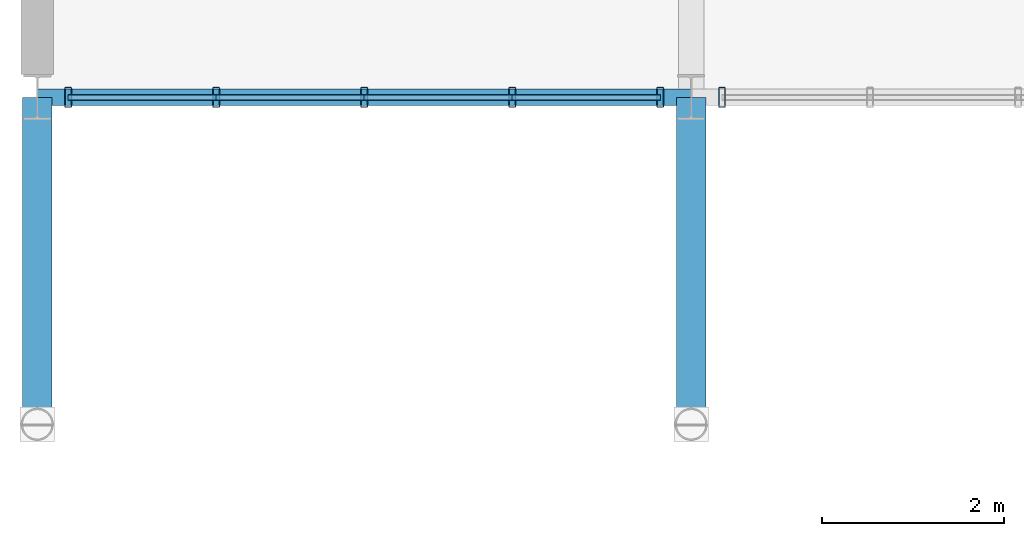
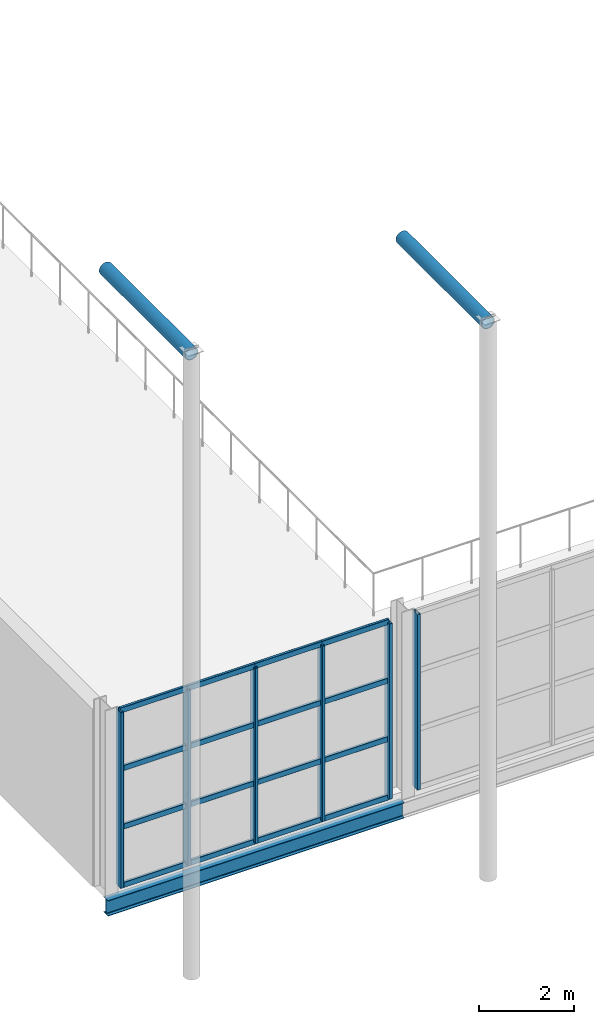
# One storey, part 18 of 143: 22 members, 3 beams, 2 elements without a shape of their own.
"""IFC4 building model written with IfcOpenShell, lengths in metres."""

import ifcopenshell
import ifcopenshell.guid

model = None  # the IFC model being written
_history = None  # IfcOwnerHistory: only IFC2X3 demands one
_inside = {}  # id of a spatial element -> (the spatial element, [elements in it])
_under = {}  # id of a project, library or spatial element -> (it, [spatial elements below it])
_declared = {}  # id of a project -> (the project, [libraries it declares])
_typed = {}  # id of a type object -> (the type object, [elements of that type])
_made_of = {}  # id of a material, layer set ... -> (it, [elements and type objects made of it])


def new_model(schema):
    """Start an empty IFC model of exactly this schema.

    Asked for "IFC4X3", IfcOpenShell would pick the latest addendum, in which some entities
    have other attributes; the version numbers below select the first issue.
    IFC2X3 requires an IfcOwnerHistory on every rooted entity: one is made here for all.
    """
    global model, _history
    if schema == "IFC4X3":
        model = ifcopenshell.file(schema_version=(4, 3, 0, 0))
    else:
        model = ifcopenshell.file(schema=schema)
    _inside.clear()
    _under.clear()
    _declared.clear()
    _typed.clear()
    _made_of.clear()
    _history = None
    if model.schema == "IFC2X3":
        org = make("IfcOrganization", Name="unknown")
        user = make(
            "IfcPersonAndOrganization",
            ThePerson=make("IfcPerson", FamilyName="unknown"),
            TheOrganization=org,
        )
        app = make(
            "IfcApplication",
            ApplicationDeveloper=org,
            Version="unknown",
            ApplicationFullName="unknown",
            ApplicationIdentifier="unknown",
        )
        _history = make(
            "IfcOwnerHistory",
            OwningUser=user,
            OwningApplication=app,
            ChangeAction="ADDED",
            CreationDate=0,
        )
    return model


def make(cls, **values):
    """One entity of the class cls with the attributes given. An attribute that is None is left unset."""
    return model.create_entity(
        cls, **{name: value for name, value in values.items() if value is not None}
    )


def rooted(cls, **values):
    """An entity with a GlobalId (a new one), such as an element, a storey or a relation."""
    return make(cls, GlobalId=ifcopenshell.guid.new(), OwnerHistory=_history, **values)


def si_unit(unit_type, name, prefix=None):
    """IfcSIUnit, for example si_unit("LENGTHUNIT", "METRE", prefix="MILLI")."""
    return make("IfcSIUnit", UnitType=unit_type, Prefix=prefix, Name=name)


def derived_unit(unit_type, elements):
    """IfcDerivedUnit: a product of units, each with its exponent."""
    return make(
        "IfcDerivedUnit",
        Elements=[
            make("IfcDerivedUnitElement", Unit=unit, Exponent=power)
            for unit, power in elements
        ],
        UnitType=unit_type,
    )


def assignment(units):
    """IfcUnitAssignment: the units of a project."""
    return None if units is None else make("IfcUnitAssignment", Units=units)


def point(xyz):
    """IfcCartesianPoint."""
    return None if xyz is None else make("IfcCartesianPoint", Coordinates=xyz)


def direction(xyz):
    """IfcDirection."""
    return None if xyz is None else make("IfcDirection", DirectionRatios=xyz)


def frame(location, z_axis=None, x_axis=None):
    """IfcAxis2Placement3D, a coordinate frame: its origin and axes. An axis left out is left unset."""
    return make(
        "IfcAxis2Placement3D",
        Location=point(location),
        Axis=direction(z_axis),
        RefDirection=direction(x_axis),
    )


def frame_2d(location, x_axis=None):
    """IfcAxis2Placement2D, a coordinate frame in the plane: its origin and x axis."""
    return make(
        "IfcAxis2Placement2D", Location=point(location), RefDirection=direction(x_axis)
    )


def origin():
    """The frame at (0, 0, 0) with its axes left unset."""
    return frame((0.0, 0.0, 0.0))


def origin_2d():
    """The frame at (0, 0) in the plane with its x axis left unset."""
    return frame_2d((0.0, 0.0))


def place(relative_to, where):
    """IfcLocalPlacement: puts the frame where relative to a parent placement (None: the world)."""
    return make(
        "IfcLocalPlacement", PlacementRelTo=relative_to, RelativePlacement=where
    )


def context(
    kind, dimensions, precision=None, world=None, true_north=None, identifier=None
):
    """IfcGeometricRepresentationContext, for example the 3D "Model" context."""
    return make(
        "IfcGeometricRepresentationContext",
        ContextIdentifier=identifier,
        ContextType=kind,
        CoordinateSpaceDimension=dimensions,
        Precision=precision,
        WorldCoordinateSystem=world,
        TrueNorth=true_north,
    )


def subcontext(parent, identifier, kind, view, scale=None):
    """IfcGeometricRepresentationSubContext, for example "Body" below "Model"."""
    return make(
        "IfcGeometricRepresentationSubContext",
        ContextIdentifier=identifier,
        ContextType=kind,
        ParentContext=parent,
        TargetScale=scale,
        TargetView=view,
    )


def project(units=None, contexts=None):
    """IfcProject with its units and contexts."""
    return rooted(
        "IfcProject",
        Name="project",
        RepresentationContexts=contexts,
        UnitsInContext=assignment(units),
    )


def spatial(cls, under=None, at=None, **own):
    """A site, building, storey or space (cls), placed at a placement, below another one or the project."""
    s = rooted(cls, ObjectPlacement=at, **own)
    if under is not None:
        _under.setdefault(under.id(), (under, []))[1].append(s)
    return s


def profile(cls, at=None, kind="AREA", **sizes):
    """A parametric profile (cls). Its sizes go by their IFC names, for example OverallWidth=200.0."""
    return make(cls, ProfileType=kind, Position=at, **sizes)


def hollow_rectangle(**sizes):
    """IfcRectangleHollowProfileDef."""
    return profile("IfcRectangleHollowProfileDef", **sizes)


def hollow_circle(**sizes):
    """IfcCircleHollowProfileDef."""
    return profile("IfcCircleHollowProfileDef", **sizes)


def i_section(**sizes):
    """IfcIShapeProfileDef."""
    return profile("IfcIShapeProfileDef", **sizes)


def extrude(swept, where, along, depth):
    """IfcExtrudedAreaSolid: the profile swept, set in the frame where, extruded along a direction by depth."""
    return make(
        "IfcExtrudedAreaSolid",
        SweptArea=swept,
        Position=where,
        ExtrudedDirection=direction(along),
        Depth=depth,
    )


def shape(context_of_items, identifier, shape_type, items):
    """IfcShapeRepresentation: the items that make up one representation, for example the "Body"."""
    return make(
        "IfcShapeRepresentation",
        ContextOfItems=context_of_items,
        RepresentationIdentifier=identifier,
        RepresentationType=shape_type,
        Items=items,
    )


def material(Name=None, Category=None):
    """IfcMaterial."""
    return make("IfcMaterial", Name=Name, Category=Category)


def material_profile(
    of_material, cross_section, Name=None, Category=None, Priority=None
):
    """IfcMaterialProfile: a cross section and its material."""
    return make(
        "IfcMaterialProfile",
        Name=Name,
        Material=of_material,
        Profile=cross_section,
        Priority=Priority,
        Category=Category,
    )


def profile_set(profiles, Name=None, composite=None):
    """IfcMaterialProfileSet."""
    return make(
        "IfcMaterialProfileSet",
        Name=Name,
        MaterialProfiles=profiles,
        CompositeProfile=composite,
    )


def made_of(thing, what):
    """Note that an element or type object is made of a material, layer set ...; save() writes the relation."""
    if what is not None:
        _made_of.setdefault(what.id(), (what, []))[1].append(thing)
    return thing


def type_object(cls, material=None, **own):
    """A type object (cls), such as IfcWallType, which elements share."""
    return made_of(rooted(cls, **own), material)


def element(
    cls,
    number,
    at=None,
    inside=None,
    cuts=None,
    type_object=None,
    material=None,
    context=None,
    identifier="Body",
    shape_type=None,
    held_by="IfcProductDefinitionShape",
    body=None,
    shapes=None,
    **own,
):
    """One element of the class cls, such as IfcWall. Its Tag is "e" and its number.

    at: its placement. inside: the storey or other place that contains it. cuts: it is an
    opening in that element (IfcRelVoidsElement). A single representation is given by context,
    identifier, shape_type and body (its items); several are given by shapes. held_by: the class
    of the entity that holds the representations. save() writes the other relations.
    """
    e = rooted(cls, Tag="e%d" % number, ObjectPlacement=at, **own)
    if body is not None:
        shapes = [shape(context, identifier, shape_type, body)]
    if shapes is not None:
        e.Representation = make(held_by, Representations=shapes)
    if inside is not None:
        _inside.setdefault(inside.id(), (inside, []))[1].append(e)
    if cuts is not None:
        rooted(
            "IfcRelVoidsElement", RelatingBuildingElement=cuts, RelatedOpeningElement=e
        )
    if type_object is not None:
        _typed.setdefault(type_object.id(), (type_object, []))[1].append(e)
    return made_of(e, material)


def aggregate(whole, parts):
    """IfcRelAggregates: a whole, such as a stair, and the parts it consists of."""
    return rooted("IfcRelAggregates", RelatingObject=whole, RelatedObjects=parts)


def save(model, path):
    """Write the relations noted so far, then the file.

    IfcRelAggregates (storeys below a building ...), IfcRelContainedInSpatialStructure (elements
    in a storey), IfcRelDefinesByType, IfcRelAssociatesMaterial and IfcRelDeclares: one each for
    every whole, place, type object, material and project.
    """
    for whole, parts in _under.values():
        aggregate(whole, parts)
    for where, things in _inside.values():
        rooted(
            "IfcRelContainedInSpatialStructure",
            RelatedElements=things,
            RelatingStructure=where,
        )
    for kind, things in _typed.values():
        rooted("IfcRelDefinesByType", RelatedObjects=things, RelatingType=kind)
    for what, things in _made_of.values():
        rooted("IfcRelAssociatesMaterial", RelatedObjects=things, RelatingMaterial=what)
    for by, libraries in _declared.values():
        rooted("IfcRelDeclares", RelatingContext=by, RelatedDefinitions=libraries)
    model.write(path)


model = new_model("IFC4")

# Units and contexts
model_context = context("Model", 3, precision=1e-05, world=origin(), true_north=direction((0.0, 1.0)))
body_context = subcontext(model_context, "Body", "Model", "MODEL_VIEW")
ifc_project = project(units=[si_unit("LENGTHUNIT", "METRE"), si_unit("AREAUNIT", "SQUARE_METRE"), si_unit("VOLUMEUNIT", "CUBIC_METRE"), si_unit("PLANEANGLEUNIT", "RADIAN"), si_unit("MASSUNIT", "GRAM", prefix="KILO"), derived_unit("THERMALTRANSMITTANCEUNIT", [(si_unit("POWERUNIT", "WATT"), 1), (si_unit("LENGTHUNIT", "METRE"), -2), (si_unit("THERMODYNAMICTEMPERATUREUNIT", "KELVIN"), -1)])], contexts=[model_context])

# Site, building, storey
site_placement = place(None, origin())
site = spatial("IfcSite", under=ifc_project, at=site_placement, CompositionType="ELEMENT")
building_placement = place(site_placement, origin())
building = spatial("IfcBuilding", under=site, at=building_placement, Name="Keldorne Ridge Multi-Sports Centre", CompositionType="ELEMENT")
storey_placement = place(building_placement, frame((0.0, 0.0, 4.800048828125)))
storey = spatial("IfcBuildingStorey", under=building, at=storey_placement, Name="L01", CompositionType="ELEMENT", Elevation=4.800048828125)

# Beams
ifc_material_1 = material(Name="Steel S355", Category="steel")
ifc_material_profile_1 = material_profile(ifc_material_1, i_section(OverallWidth=0.179931640625, OverallDepth=0.39990234375, WebThickness=0.008544921875, FlangeThickness=0.013427734375, FilletRadius=0.02099609375, at=origin_2d()), Name="IPE 400")
ifc_profile_set_1 = profile_set([ifc_material_profile_1], Name="Steel S355")
beam_type_1 = type_object("IfcBeamType", Name="BM-B-04", PredefinedType="BEAM", material=ifc_profile_set_1)
beam_placement = place(storey_placement, frame((6.0, 9.60009765625, -0.420166015625), z_axis=(1.0, 0.0, 0.0), x_axis=(0.0, 1.0, 0.0)))
element("IfcBeam", 1, at=beam_placement, inside=storey, type_object=beam_type_1, Name="L01 mezzanine south beam 1", PredefinedType="BEAM", context=body_context, shape_type="SweptSolid", body=[
    extrude(i_section(OverallWidth=0.179931640625, OverallDepth=0.39990234375, WebThickness=0.008544921875, FlangeThickness=0.013427734375, FilletRadius=0.02099609375, at=origin_2d()), origin(), (0.0, 0.0, 1.0), 7.199951171875),
])
ifc_material_profile_2 = material_profile(ifc_material_1, hollow_circle(Radius=0.161865234375, WallThickness=0.01611328125, at=origin_2d()), Name="CHS 323.9x16")
ifc_profile_set_2 = profile_set([ifc_material_profile_2], Name="Steel S355")
beam_type_2 = type_object("IfcBeamType", Name="BM-B-19", PredefinedType="BEAM", material=ifc_profile_set_2)
for number, where, z_axis, x_axis, name in (
    (2, (6.0, 9.60009765625, 15.949951171875), (0.0, -1.0, 0.0), (1.0, 0.0, 0.0), "Colonnade eave rafter 01"),
    (3, (13.199951171875, 9.60009765625, 14.22998046875), (0.0, -1.0, 0.0), (1.0, 0.0, 0.0), "Colonnade eave rafter 02"),
):
    element("IfcBeam", number, at=place(storey_placement, frame(where, z_axis=z_axis, x_axis=x_axis)), inside=storey, type_object=beam_type_2, Name=name, PredefinedType="BEAM", context=body_context, shape_type="SweptSolid", body=[
        extrude(hollow_circle(Radius=0.161865234375, WallThickness=0.01611328125, at=origin_2d()), origin(), (0.0, 0.0, 1.0), 3.60009765625),
    ])

# Curtain wall, members
ifc_material_2 = material(Name="Anodized aluminium", Category="aluminium")
curtain_wall_type_1 = type_object("IfcCurtainWallType", Name="CW-CW-01", PredefinedType="NOTDEFINED", material=ifc_material_2)
curtain_wall_1_placement = place(storey_placement, origin())
curtain_wall_1 = element("IfcCurtainWall", 4, at=curtain_wall_1_placement, inside=storey, type_object=curtain_wall_type_1, Name="Main Hall south mezzanine curtain wall 001", PredefinedType="NOTDEFINED")
ifc_material_profile_3 = material_profile(ifc_material_2, hollow_rectangle(XDim=0.074951171875, YDim=0.219970703125, WallThickness=0.0048828125, InnerFilletRadius=0.0048828125, OuterFilletRadius=0.010009765625, at=origin_2d()), Name="ALU MULLION 220x75x5")
ifc_profile_set_3 = profile_set([ifc_material_profile_3], Name="Anodized aluminium")
member_type_1 = type_object("IfcMemberType", Name="MEM-ML-02", PredefinedType="MULLION", material=ifc_profile_set_3)
member_1_placement = place(storey_placement, frame((6.340087890625, 9.60009765625, 0.0), z_axis=(0.0, 0.0, 1.0), x_axis=(1.0, 0.0, 0.0)))
member_1 = element("IfcMember", 5, at=member_1_placement, type_object=member_type_1, Name="CW-001 vertical mullion 1", PredefinedType="MULLION", context=body_context, shape_type="SweptSolid", body=[
    extrude(hollow_rectangle(XDim=0.074951171875, YDim=0.219970703125, WallThickness=0.0048828125, InnerFilletRadius=0.0048828125, OuterFilletRadius=0.010009765625, at=origin_2d()), origin(), (0.0, 0.0, 1.0), 4.5),
])
member_2_placement = place(storey_placement, frame((7.969970703125, 9.60009765625, 0.0), z_axis=(0.0, 0.0, 1.0), x_axis=(1.0, 0.0, 0.0)))
member_2 = element("IfcMember", 6, at=member_2_placement, type_object=member_type_1, Name="CW-001 vertical mullion 2", PredefinedType="MULLION", context=body_context, shape_type="SweptSolid", body=[
    extrude(hollow_rectangle(XDim=0.074951171875, YDim=0.219970703125, WallThickness=0.0048828125, InnerFilletRadius=0.0048828125, OuterFilletRadius=0.010009765625, at=origin_2d()), origin(), (0.0, 0.0, 1.0), 4.5),
])
member_3_placement = place(storey_placement, frame((9.60009765625, 9.60009765625, 0.0), z_axis=(0.0, 0.0, 1.0), x_axis=(1.0, 0.0, 0.0)))
member_3 = element("IfcMember", 7, at=member_3_placement, type_object=member_type_1, Name="CW-001 vertical mullion 3", PredefinedType="MULLION", context=body_context, shape_type="SweptSolid", body=[
    extrude(hollow_rectangle(XDim=0.074951171875, YDim=0.219970703125, WallThickness=0.0048828125, InnerFilletRadius=0.0048828125, OuterFilletRadius=0.010009765625, at=origin_2d()), origin(), (0.0, 0.0, 1.0), 4.5),
])
member_4_placement = place(storey_placement, frame((11.22998046875, 9.60009765625, 0.0), z_axis=(0.0, 0.0, 1.0), x_axis=(1.0, 0.0, 0.0)))
member_4 = element("IfcMember", 8, at=member_4_placement, type_object=member_type_1, Name="CW-001 vertical mullion 4", PredefinedType="MULLION", context=body_context, shape_type="SweptSolid", body=[
    extrude(hollow_rectangle(XDim=0.074951171875, YDim=0.219970703125, WallThickness=0.0048828125, InnerFilletRadius=0.0048828125, OuterFilletRadius=0.010009765625, at=origin_2d()), origin(), (0.0, 0.0, 1.0), 4.5),
])
member_5_placement = place(storey_placement, frame((12.860107421875, 9.60009765625, 0.0), z_axis=(0.0, 0.0, 1.0), x_axis=(1.0, 0.0, 0.0)))
member_5 = element("IfcMember", 9, at=member_5_placement, type_object=member_type_1, Name="CW-001 vertical mullion 5", PredefinedType="MULLION", context=body_context, shape_type="SweptSolid", body=[
    extrude(hollow_rectangle(XDim=0.074951171875, YDim=0.219970703125, WallThickness=0.0048828125, InnerFilletRadius=0.0048828125, OuterFilletRadius=0.010009765625, at=origin_2d()), origin(), (0.0, 0.0, 1.0), 4.5),
])

# Curtain wall, member
curtain_wall_type_2 = type_object("IfcCurtainWallType", Name="CW-CW-04", PredefinedType="NOTDEFINED", material=ifc_material_2)
curtain_wall_2_placement = place(storey_placement, origin())
curtain_wall_2 = element("IfcCurtainWall", 10, at=curtain_wall_2_placement, inside=storey, type_object=curtain_wall_type_2, Name="Main Hall south mezzanine curtain wall 004", PredefinedType="NOTDEFINED")
member_6_placement = place(storey_placement, frame((13.5400390625, 9.60009765625, 0.0), z_axis=(0.0, 0.0, 1.0), x_axis=(1.0, 0.0, 0.0)))
member_6 = element("IfcMember", 11, at=member_6_placement, type_object=member_type_1, Name="CW-004 vertical mullion 1", PredefinedType="MULLION", context=body_context, shape_type="SweptSolid", body=[
    extrude(hollow_rectangle(XDim=0.074951171875, YDim=0.219970703125, WallThickness=0.0048828125, InnerFilletRadius=0.0048828125, OuterFilletRadius=0.010009765625, at=origin_2d()), origin(), (0.0, 0.0, 1.0), 4.5),
])
aggregate(curtain_wall_2, [member_6])

# Member
ifc_material_profile_4 = material_profile(ifc_material_2, hollow_rectangle(XDim=0.06494140625, YDim=0.139892578125, WallThickness=0.00439453125, InnerFilletRadius=0.00439453125, OuterFilletRadius=0.009033203125, at=origin_2d()), Name="ALU TRANSOM 140x65x4.5")
ifc_profile_set_4 = profile_set([ifc_material_profile_4], Name="Anodized aluminium")
member_type_2 = type_object("IfcMemberType", Name="MEM-TR-01", PredefinedType="USERDEFINED", material=ifc_profile_set_4)
member_7_placement = place(storey_placement, frame((6.340087890625, 9.60009765625, 0.0), z_axis=(1.0, 0.0, 0.0), x_axis=(0.0, 1.0, 0.0)))
member_7 = element("IfcMember", 12, at=member_7_placement, type_object=member_type_2, Name="CW-001 transom 1.1", ObjectType="TRANSOM", PredefinedType="USERDEFINED", context=body_context, shape_type="SweptSolid", body=[
    extrude(hollow_rectangle(XDim=0.06494140625, YDim=0.139892578125, WallThickness=0.00439453125, InnerFilletRadius=0.00439453125, OuterFilletRadius=0.009033203125, at=origin_2d()), origin(), (0.0, 0.0, 1.0), 1.6298828125),
])

member_8_placement = place(storey_placement, frame((6.340087890625, 9.60009765625, 1.5), z_axis=(1.0, 0.0, 0.0), x_axis=(0.0, 1.0, 0.0)))
member_8 = element("IfcMember", 13, at=member_8_placement, type_object=member_type_2, Name="CW-001 transom 1.2", ObjectType="TRANSOM", PredefinedType="USERDEFINED", context=body_context, shape_type="SweptSolid", body=[
    extrude(hollow_rectangle(XDim=0.06494140625, YDim=0.139892578125, WallThickness=0.00439453125, InnerFilletRadius=0.00439453125, OuterFilletRadius=0.009033203125, at=origin_2d()), origin(), (0.0, 0.0, 1.0), 1.6298828125),
])

member_9_placement = place(storey_placement, frame((6.340087890625, 9.60009765625, 3.0), z_axis=(1.0, 0.0, 0.0), x_axis=(0.0, 1.0, 0.0)))
member_9 = element("IfcMember", 14, at=member_9_placement, type_object=member_type_2, Name="CW-001 transom 1.3", ObjectType="TRANSOM", PredefinedType="USERDEFINED", context=body_context, shape_type="SweptSolid", body=[
    extrude(hollow_rectangle(XDim=0.06494140625, YDim=0.139892578125, WallThickness=0.00439453125, InnerFilletRadius=0.00439453125, OuterFilletRadius=0.009033203125, at=origin_2d()), origin(), (0.0, 0.0, 1.0), 1.6298828125),
])

member_10_placement = place(storey_placement, frame((6.340087890625, 9.60009765625, 4.5), z_axis=(1.0, 0.0, 0.0), x_axis=(0.0, 1.0, 0.0)))
member_10 = element("IfcMember", 15, at=member_10_placement, type_object=member_type_2, Name="CW-001 transom 1.4", ObjectType="TRANSOM", PredefinedType="USERDEFINED", context=body_context, shape_type="SweptSolid", body=[
    extrude(hollow_rectangle(XDim=0.06494140625, YDim=0.139892578125, WallThickness=0.00439453125, InnerFilletRadius=0.00439453125, OuterFilletRadius=0.009033203125, at=origin_2d()), origin(), (0.0, 0.0, 1.0), 1.6298828125),
])

member_11_placement = place(storey_placement, frame((7.969970703125, 9.60009765625, 0.0), z_axis=(1.0, 0.0, 0.0), x_axis=(0.0, 1.0, 0.0)))
member_11 = element("IfcMember", 16, at=member_11_placement, type_object=member_type_2, Name="CW-001 transom 2.1", ObjectType="TRANSOM", PredefinedType="USERDEFINED", context=body_context, shape_type="SweptSolid", body=[
    extrude(hollow_rectangle(XDim=0.06494140625, YDim=0.139892578125, WallThickness=0.00439453125, InnerFilletRadius=0.00439453125, OuterFilletRadius=0.009033203125, at=origin_2d()), origin(), (0.0, 0.0, 1.0), 1.630126953125),
])

member_12_placement = place(storey_placement, frame((7.969970703125, 9.60009765625, 1.5), z_axis=(1.0, 0.0, 0.0), x_axis=(0.0, 1.0, 0.0)))
member_12 = element("IfcMember", 17, at=member_12_placement, type_object=member_type_2, Name="CW-001 transom 2.2", ObjectType="TRANSOM", PredefinedType="USERDEFINED", context=body_context, shape_type="SweptSolid", body=[
    extrude(hollow_rectangle(XDim=0.06494140625, YDim=0.139892578125, WallThickness=0.00439453125, InnerFilletRadius=0.00439453125, OuterFilletRadius=0.009033203125, at=origin_2d()), origin(), (0.0, 0.0, 1.0), 1.630126953125),
])

member_13_placement = place(storey_placement, frame((7.969970703125, 9.60009765625, 3.0), z_axis=(1.0, 0.0, 0.0), x_axis=(0.0, 1.0, 0.0)))
member_13 = element("IfcMember", 18, at=member_13_placement, type_object=member_type_2, Name="CW-001 transom 2.3", ObjectType="TRANSOM", PredefinedType="USERDEFINED", context=body_context, shape_type="SweptSolid", body=[
    extrude(hollow_rectangle(XDim=0.06494140625, YDim=0.139892578125, WallThickness=0.00439453125, InnerFilletRadius=0.00439453125, OuterFilletRadius=0.009033203125, at=origin_2d()), origin(), (0.0, 0.0, 1.0), 1.630126953125),
])

member_14_placement = place(storey_placement, frame((7.969970703125, 9.60009765625, 4.5), z_axis=(1.0, 0.0, 0.0), x_axis=(0.0, 1.0, 0.0)))
member_14 = element("IfcMember", 19, at=member_14_placement, type_object=member_type_2, Name="CW-001 transom 2.4", ObjectType="TRANSOM", PredefinedType="USERDEFINED", context=body_context, shape_type="SweptSolid", body=[
    extrude(hollow_rectangle(XDim=0.06494140625, YDim=0.139892578125, WallThickness=0.00439453125, InnerFilletRadius=0.00439453125, OuterFilletRadius=0.009033203125, at=origin_2d()), origin(), (0.0, 0.0, 1.0), 1.630126953125),
])

member_15_placement = place(storey_placement, frame((9.60009765625, 9.60009765625, 0.0), z_axis=(1.0, 0.0, 0.0), x_axis=(0.0, 1.0, 0.0)))
member_15 = element("IfcMember", 20, at=member_15_placement, type_object=member_type_2, Name="CW-001 transom 3.1", ObjectType="TRANSOM", PredefinedType="USERDEFINED", context=body_context, shape_type="SweptSolid", body=[
    extrude(hollow_rectangle(XDim=0.06494140625, YDim=0.139892578125, WallThickness=0.00439453125, InnerFilletRadius=0.00439453125, OuterFilletRadius=0.009033203125, at=origin_2d()), origin(), (0.0, 0.0, 1.0), 1.6298828125),
])

member_16_placement = place(storey_placement, frame((9.60009765625, 9.60009765625, 1.5), z_axis=(1.0, 0.0, 0.0), x_axis=(0.0, 1.0, 0.0)))
member_16 = element("IfcMember", 21, at=member_16_placement, type_object=member_type_2, Name="CW-001 transom 3.2", ObjectType="TRANSOM", PredefinedType="USERDEFINED", context=body_context, shape_type="SweptSolid", body=[
    extrude(hollow_rectangle(XDim=0.06494140625, YDim=0.139892578125, WallThickness=0.00439453125, InnerFilletRadius=0.00439453125, OuterFilletRadius=0.009033203125, at=origin_2d()), origin(), (0.0, 0.0, 1.0), 1.6298828125),
])

member_17_placement = place(storey_placement, frame((9.60009765625, 9.60009765625, 3.0), z_axis=(1.0, 0.0, 0.0), x_axis=(0.0, 1.0, 0.0)))
member_17 = element("IfcMember", 22, at=member_17_placement, type_object=member_type_2, Name="CW-001 transom 3.3", ObjectType="TRANSOM", PredefinedType="USERDEFINED", context=body_context, shape_type="SweptSolid", body=[
    extrude(hollow_rectangle(XDim=0.06494140625, YDim=0.139892578125, WallThickness=0.00439453125, InnerFilletRadius=0.00439453125, OuterFilletRadius=0.009033203125, at=origin_2d()), origin(), (0.0, 0.0, 1.0), 1.6298828125),
])

member_18_placement = place(storey_placement, frame((9.60009765625, 9.60009765625, 4.5), z_axis=(1.0, 0.0, 0.0), x_axis=(0.0, 1.0, 0.0)))
member_18 = element("IfcMember", 23, at=member_18_placement, type_object=member_type_2, Name="CW-001 transom 3.4", ObjectType="TRANSOM", PredefinedType="USERDEFINED", context=body_context, shape_type="SweptSolid", body=[
    extrude(hollow_rectangle(XDim=0.06494140625, YDim=0.139892578125, WallThickness=0.00439453125, InnerFilletRadius=0.00439453125, OuterFilletRadius=0.009033203125, at=origin_2d()), origin(), (0.0, 0.0, 1.0), 1.6298828125),
])

member_19_placement = place(storey_placement, frame((11.22998046875, 9.60009765625, 0.0), z_axis=(1.0, 0.0, 0.0), x_axis=(0.0, 1.0, 0.0)))
member_19 = element("IfcMember", 24, at=member_19_placement, type_object=member_type_2, Name="CW-001 transom 4.1", ObjectType="TRANSOM", PredefinedType="USERDEFINED", context=body_context, shape_type="SweptSolid", body=[
    extrude(hollow_rectangle(XDim=0.06494140625, YDim=0.139892578125, WallThickness=0.00439453125, InnerFilletRadius=0.00439453125, OuterFilletRadius=0.009033203125, at=origin_2d()), origin(), (0.0, 0.0, 1.0), 1.630126953125),
])

member_20_placement = place(storey_placement, frame((11.22998046875, 9.60009765625, 1.5), z_axis=(1.0, 0.0, 0.0), x_axis=(0.0, 1.0, 0.0)))
member_20 = element("IfcMember", 25, at=member_20_placement, type_object=member_type_2, Name="CW-001 transom 4.2", ObjectType="TRANSOM", PredefinedType="USERDEFINED", context=body_context, shape_type="SweptSolid", body=[
    extrude(hollow_rectangle(XDim=0.06494140625, YDim=0.139892578125, WallThickness=0.00439453125, InnerFilletRadius=0.00439453125, OuterFilletRadius=0.009033203125, at=origin_2d()), origin(), (0.0, 0.0, 1.0), 1.630126953125),
])

member_21_placement = place(storey_placement, frame((11.22998046875, 9.60009765625, 3.0), z_axis=(1.0, 0.0, 0.0), x_axis=(0.0, 1.0, 0.0)))
member_21 = element("IfcMember", 26, at=member_21_placement, type_object=member_type_2, Name="CW-001 transom 4.3", ObjectType="TRANSOM", PredefinedType="USERDEFINED", context=body_context, shape_type="SweptSolid", body=[
    extrude(hollow_rectangle(XDim=0.06494140625, YDim=0.139892578125, WallThickness=0.00439453125, InnerFilletRadius=0.00439453125, OuterFilletRadius=0.009033203125, at=origin_2d()), origin(), (0.0, 0.0, 1.0), 1.630126953125),
])

member_22_placement = place(storey_placement, frame((11.22998046875, 9.60009765625, 4.5), z_axis=(1.0, 0.0, 0.0), x_axis=(0.0, 1.0, 0.0)))
member_22 = element("IfcMember", 27, at=member_22_placement, type_object=member_type_2, Name="CW-001 transom 4.4", ObjectType="TRANSOM", PredefinedType="USERDEFINED", context=body_context, shape_type="SweptSolid", body=[
    extrude(hollow_rectangle(XDim=0.06494140625, YDim=0.139892578125, WallThickness=0.00439453125, InnerFilletRadius=0.00439453125, OuterFilletRadius=0.009033203125, at=origin_2d()), origin(), (0.0, 0.0, 1.0), 1.630126953125),
])

aggregate(curtain_wall_1, [member_1, member_2, member_3, member_4, member_5, member_7, member_8, member_9, member_10, member_11, member_12, member_13, member_14, member_15, member_16, member_17, member_18, member_19, member_20, member_21, member_22])

save(model, "model.ifc")
